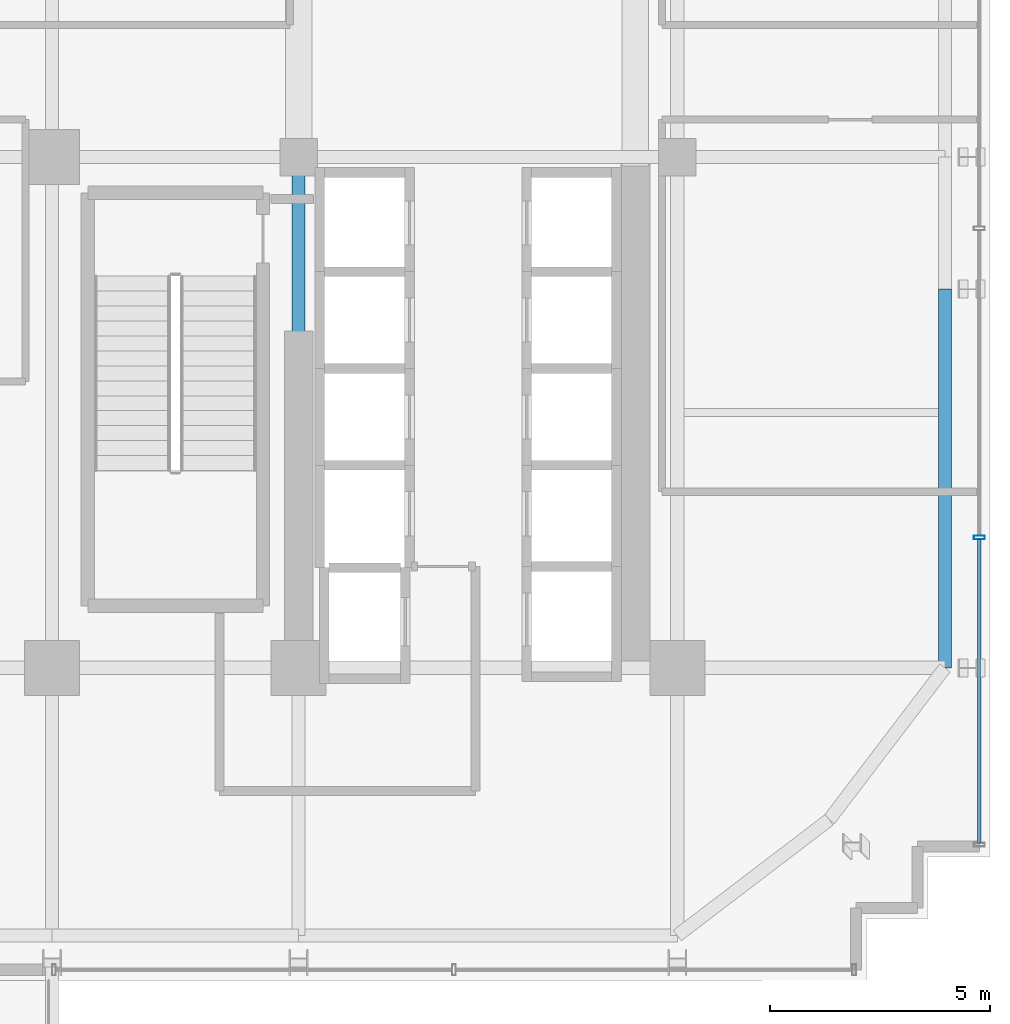
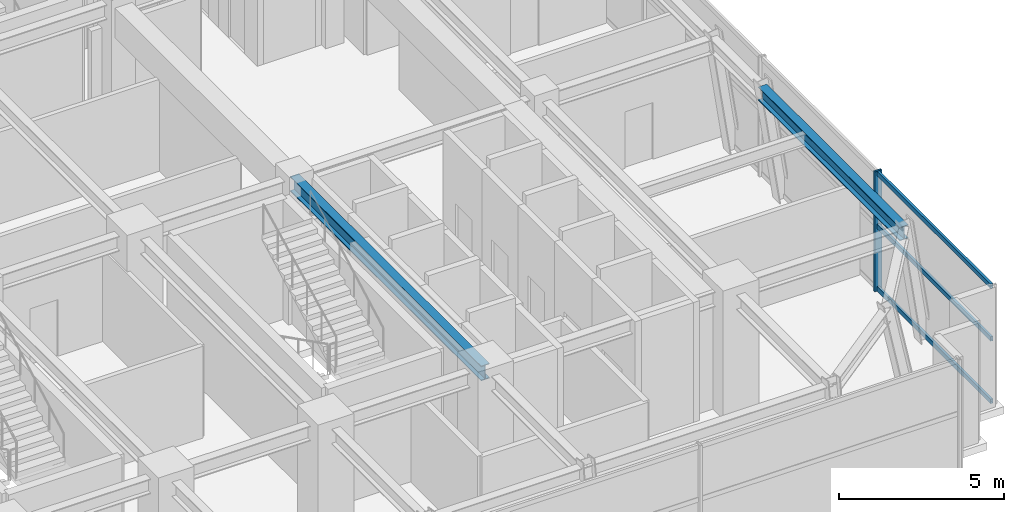
# One storey, part 9 of 26: 4 members, 2 beams, 1 element without a shape of its own.
"""IFC4 building model written with IfcOpenShell, lengths in metres."""

from ifc_helpers import new_model, si_unit, direction, frame, origin, origin_2d, place, context, subcontext, project, spatial, hollow_rectangle, i_section, extrude, source, transform, mapped, material, material_profile, profile_set, type_object, element, aggregate, save


model = new_model("IFC4")

# Units and contexts
model_context = context("Model", 3, precision=1e-05, world=origin(), true_north=direction((0.0, 1.0)))
body_context = subcontext(model_context, "Body", "Model", "MODEL_VIEW")
ifc_project = project(units=[si_unit("LENGTHUNIT", "METRE"), si_unit("AREAUNIT", "SQUARE_METRE"), si_unit("VOLUMEUNIT", "CUBIC_METRE"), si_unit("PLANEANGLEUNIT", "RADIAN"), si_unit("MASSUNIT", "GRAM", prefix="KILO")], contexts=[model_context])

# Site, building, storey
site_placement = place(None, origin())
site = spatial("IfcSite", under=ifc_project, at=site_placement, CompositionType="ELEMENT")
building_placement = place(site_placement, origin())
building = spatial("IfcBuilding", under=site, at=building_placement, Name="Nahalor Promenade Grand Hotel", CompositionType="ELEMENT")
storey_placement = place(building_placement, frame((0.0, 0.0, 139.39990234375)))
storey = spatial("IfcBuildingStorey", under=building, at=storey_placement, Name="L35", CompositionType="ELEMENT", Elevation=139.39990234375)

# Beams
ifc_material_1 = material(Name="Steel S355JR", Category="steel")
ifc_material_profile_1 = material_profile(ifc_material_1, i_section(OverallWidth=0.3, OverallDepth=0.5, WebThickness=0.0145, FlangeThickness=0.028, at=origin_2d()), Name="HEB 500")
ifc_profile_set_1 = profile_set([ifc_material_profile_1], Name="Steel S355JR")
beam_type_1 = type_object("IfcBeamType", Name="Beam-Spandrel-HEB500", PredefinedType="SPANDREL", material=ifc_profile_set_1)
shared_shape_1 = source(origin(), body_context, "Body", "SweptSolid", [
    extrude(i_section(OverallWidth=0.3, OverallDepth=0.5, WebThickness=0.0145, FlangeThickness=0.028, at=origin_2d()), origin(), (0.0, 0.0, 1.0), 8.60009765625),
])
beam_1_placement = place(storey_placement, frame((23.080078125, -17.0, 4.190185546875), z_axis=(0.0, 1.0, 0.0), x_axis=(-1.0, 0.0, 0.0)))
element("IfcBeam", 1, at=beam_1_placement, inside=storey, type_object=beam_type_1, Name="BM-L35-SP-E-0", PredefinedType="SPANDREL", context=body_context, shape_type="MappedRepresentation", body=[
    mapped(shared_shape_1, transform((0.0, 0.0, 0.0), scale=1.0)),
])
ifc_material_profile_2 = material_profile(ifc_material_1, i_section(OverallWidth=0.3, OverallDepth=0.55, WebThickness=0.015, FlangeThickness=0.029, at=origin_2d()), Name="HEB 550")
ifc_profile_set_2 = profile_set([ifc_material_profile_2], Name="Steel S355JR")
beam_type_2 = type_object("IfcBeamType", Name="Beam-Girder-HEB550", PredefinedType="BEAM", material=ifc_profile_set_2)
shared_shape_2 = source(origin(), body_context, "Body", "SweptSolid", [
    extrude(i_section(OverallWidth=0.3, OverallDepth=0.55, WebThickness=0.015, FlangeThickness=0.029, at=origin_2d()), origin(), (0.0, 0.0, 1.0), 11.60009765625),
])
beam_2_placement = place(storey_placement, frame((8.39990234375, -17.0, 4.1650390625), z_axis=(0.0, 1.0, 0.0), x_axis=(-1.0, 0.0, 0.0)))
element("IfcBeam", 2, at=beam_2_placement, inside=storey, type_object=beam_type_2, Name="BM-L35-GY-4-1", PredefinedType="BEAM", context=body_context, shape_type="MappedRepresentation", body=[
    mapped(shared_shape_2, transform((0.0, 0.0, 0.0), scale=1.0)),
])

# Curtain wall, members
ifc_material_2 = material(Name="Anodised Bronze Aluminium EN AW-6063 T6", Category="aluminium")
curtain_wall_type = type_object("IfcCurtainWallType", Name="CW5 Sky-Lobby & Observation Panoramic Curtain Wall", PredefinedType="USERDEFINED", material=ifc_material_2)
curtain_wall_placement = place(storey_placement, origin())
curtain_wall = element("IfcCurtainWall", 3, at=curtain_wall_placement, inside=storey, type_object=curtain_wall_type, Name="L35 Curtain Wall CW-L35-E-1", ObjectType="UNITISED_CURTAIN_WALL", PredefinedType="USERDEFINED")
ifc_material_profile_3 = material_profile(ifc_material_2, hollow_rectangle(XDim=0.085, YDim=0.25, WallThickness=0.006, at=origin_2d()), Name="CWM 85x250x6")
ifc_profile_set_3 = profile_set([ifc_material_profile_3], Name="Anodised Bronze Aluminium EN AW-6063 T6")
member_type_1 = type_object("IfcMemberType", Name="CWM5 Panoramic Deep Mullion 85x250", PredefinedType="MULLION", material=ifc_profile_set_3)
shared_shape_3 = source(origin(), body_context, "Body", "SweptSolid", [
    extrude(hollow_rectangle(XDim=0.085, YDim=0.25, WallThickness=0.006, at=origin_2d()), origin(), (0.0, 0.0, 1.0), 4.440185546875),
])
member_1_placement = place(storey_placement, frame((23.860107421875, -14.0400390625, 0.0), z_axis=(0.0, 0.0, 1.0), x_axis=(0.0, 1.0, 0.0)))
member_1 = element("IfcMember", 4, at=member_1_placement, type_object=member_type_1, Name="CW-L35-E-1 Mullion 1", PredefinedType="MULLION", context=body_context, shape_type="MappedRepresentation", body=[
    mapped(shared_shape_3, transform((0.0, 0.0, 0.0), scale=1.0)),
])
ifc_material_profile_4 = material_profile(ifc_material_2, hollow_rectangle(XDim=0.085, YDim=0.17, WallThickness=0.005, at=origin_2d()), Name="CWT 85x170x5")
ifc_profile_set_4 = profile_set([ifc_material_profile_4], Name="Anodised Bronze Aluminium EN AW-6063 T6")
member_type_2 = type_object("IfcMemberType", Name="CWT5 Panoramic Transom 85x170", PredefinedType="USERDEFINED", material=ifc_profile_set_4)
shared_shape_4 = source(origin(), body_context, "Body", "SweptSolid", [
    extrude(hollow_rectangle(XDim=0.085, YDim=0.17, WallThickness=0.005, at=origin_2d()), origin(), (0.0, 0.0, 1.0), 6.892578125),
])
member_2_placement = place(storey_placement, frame((23.860107421875, -20.97509765625, 0.085205078125), z_axis=(0.0, 1.0, 0.0), x_axis=(-1.0, 0.0, 0.0)))
member_2 = element("IfcMember", 5, at=member_2_placement, type_object=member_type_2, Name="CW-L35-E-1 Transom 0-0", ObjectType="TRANSOM", PredefinedType="USERDEFINED", context=body_context, shape_type="MappedRepresentation", body=[
    mapped(shared_shape_4, transform((0.0, 0.0, 0.0), scale=1.0)),
])
member_3_placement = place(storey_placement, frame((23.860107421875, -20.97509765625, 2.400146484375), z_axis=(0.0, 1.0, 0.0), x_axis=(-1.0, 0.0, 0.0)))
member_3 = element("IfcMember", 6, at=member_3_placement, type_object=member_type_2, Name="CW-L35-E-1 Transom 0-1", ObjectType="TRANSOM", PredefinedType="USERDEFINED", context=body_context, shape_type="MappedRepresentation", body=[
    mapped(shared_shape_4, transform((0.0, 0.0, 0.0), scale=1.0)),
])
member_4_placement = place(storey_placement, frame((23.860107421875, -20.97509765625, 4.35498046875), z_axis=(0.0, 1.0, 0.0), x_axis=(-1.0, 0.0, 0.0)))
member_4 = element("IfcMember", 7, at=member_4_placement, type_object=member_type_2, Name="CW-L35-E-1 Transom 0-2", ObjectType="TRANSOM", PredefinedType="USERDEFINED", context=body_context, shape_type="MappedRepresentation", body=[
    mapped(shared_shape_4, transform((0.0, 0.0, 0.0), scale=1.0)),
])
aggregate(curtain_wall, [member_1, member_2, member_3, member_4])

save(model, "model.ifc")
